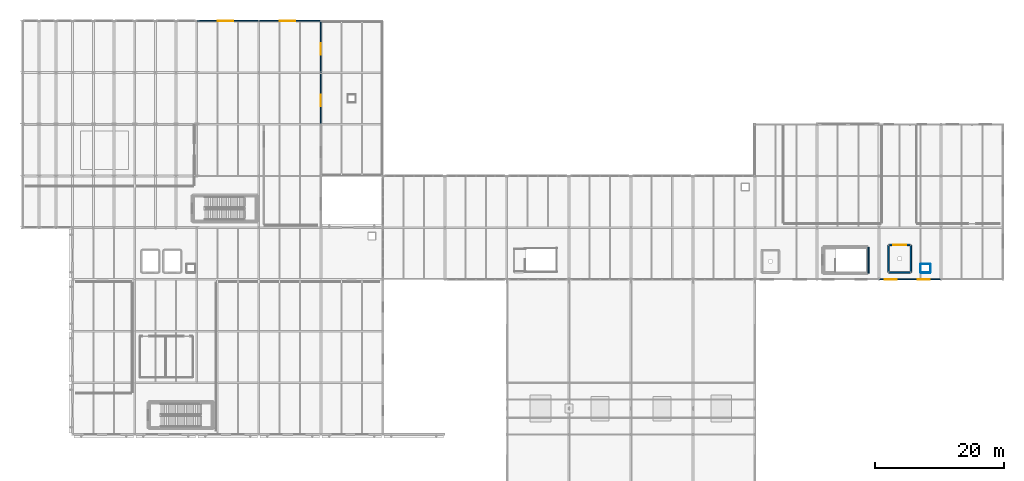
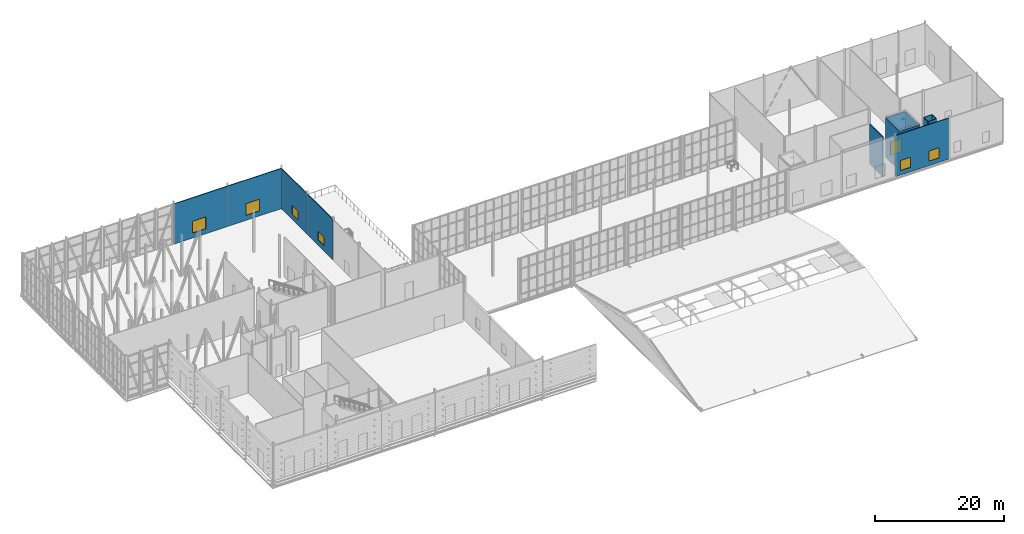
# One storey, part 67 of 73: 14 walls, 6 windows, 1 door, 7 openings.
"""IFC4 building model written with IfcOpenShell, lengths in metres."""

from ifc_helpers import new_model, si_unit, direction, frame, frame_2d, origin, place, context, subcontext, project, spatial, rectangle, extrude, material, layer, layer_set, type_object, element, fill, save


model = new_model("IFC4")

# Units and contexts
model_context = context("Model", 3, precision=1e-05, world=origin(), true_north=direction((0.0, 1.0)))
body_context = subcontext(model_context, "Body", "Model", "MODEL_VIEW")
ifc_project = project(units=[si_unit("LENGTHUNIT", "METRE"), si_unit("AREAUNIT", "SQUARE_METRE"), si_unit("VOLUMEUNIT", "CUBIC_METRE"), si_unit("PLANEANGLEUNIT", "RADIAN"), si_unit("MASSUNIT", "GRAM", prefix="KILO")], contexts=[model_context])

# Site, building, storey
site_placement = place(None, origin())
site = spatial("IfcSite", under=ifc_project, at=site_placement, CompositionType="ELEMENT")
building_placement = place(site_placement, origin())
building = spatial("IfcBuilding", under=site, at=building_placement, Name="Alderhovde Museum", CompositionType="ELEMENT")
storey_placement = place(building_placement, frame((0.0, 0.0, 17.39990234375)))
storey = spatial("IfcBuildingStorey", under=building, at=storey_placement, Name="L04", CompositionType="ELEMENT", Elevation=17.39990234375)

# Wall, opening, window
ifc_material_1 = material(Name="Limestone Ashlar Rainscreen Wall", Category="masonry")
ifc_layer_1 = layer(ifc_material_1, 0.14990234375)
ifc_layer_set_1 = layer_set([ifc_layer_1], Name="Limestone Ashlar Rainscreen Wall")
wall_type_1 = type_object("IfcWallType", Name="EW-LIME-340", PredefinedType="SOLIDWALL", material=ifc_layer_set_1)
wall_1_placement = place(storey_placement, frame((28.820068359375, 112.0, 0.0), z_axis=(0.0, 0.0, 1.0), x_axis=(1.0, 0.0, 0.0)))
wall_1 = element("IfcWall", 1, at=wall_1_placement, inside=storey, type_object=wall_type_1, Name="L04 Paleontology North Pier Wall 160", PredefinedType="SOLIDWALL", context=body_context, shape_type="SweptSolid", body=[
    extrude(rectangle(XDim=9.559814453125, YDim=0.14990234375, at=frame_2d((4.77978515625, 0.0))), origin(), (0.0, 0.0, 1.0), 7.60009765625),
])
opening_1_placement = place(wall_1_placement, frame((3.25, 0.0, 0.949951171875)))
opening_1 = element("IfcOpeningElement", 2, at=opening_1_placement, cuts=wall_1, Name="Opening W15", PredefinedType="OPENING", context=body_context, shape_type="SweptSolid", body=[
    extrude(rectangle(XDim=2.39990234375, YDim=2.199951171875, at=frame_2d((1.199951171875, 1.10009765625))), frame((0.0, 0.0849609375, 0.0), z_axis=(0.0, -1.0, 0.0), x_axis=(1.0, 0.0, 0.0)), (0.0, 0.0, 1.0), 0.169921875),
])
ifc_material_2 = material(Name="Triple-Glazed Low-E Bronze-Anodised Aluminium", Category="aluminium")
window_type_1 = type_object("IfcWindowType", Name="WIN-LAB-2400x2200", PartitioningType="DOUBLE_PANEL_VERTICAL", PredefinedType="WINDOW", material=ifc_material_2)
window_1_placement = place(opening_1_placement, origin())
window_1 = element("IfcWindow", 3, at=window_1_placement, inside=storey, type_object=window_type_1, Name="L04 Facade Window 140", OverallHeight=2.199951171875, OverallWidth=2.39990234375, PartitioningType="SINGLE_PANEL", PredefinedType="WINDOW", context=body_context, shape_type="SweptSolid", body=[
    extrude(rectangle(XDim=2.39990234375, YDim=2.199951171875, at=frame_2d((1.199951171875, 1.10009765625))), frame((0.0, 0.030029296875, 0.0), z_axis=(0.0, -1.0, 0.0), x_axis=(1.0, 0.0, 0.0)), (0.0, 0.0, 1.0), 0.06005859375),
])
fill(opening_1, window_1)

wall_2_placement = place(storey_placement, frame((38.419921875, 112.0, 0.0), z_axis=(0.0, 0.0, 1.0), x_axis=(1.0, 0.0, 0.0)))
wall_2 = element("IfcWall", 4, at=wall_2_placement, inside=storey, type_object=wall_type_1, Name="L04 Paleontology North Pier Wall 161", PredefinedType="SOLIDWALL", context=body_context, shape_type="SweptSolid", body=[
    extrude(rectangle(XDim=9.56005859375, YDim=0.14990234375, at=frame_2d((4.780029296875, 0.0))), origin(), (0.0, 0.0, 1.0), 7.60009765625),
])
opening_2_placement = place(wall_2_placement, frame((3.25, 0.0, 0.949951171875)))
opening_2 = element("IfcOpeningElement", 5, at=opening_2_placement, cuts=wall_2, Name="Opening W15", PredefinedType="OPENING", context=body_context, shape_type="SweptSolid", body=[
    extrude(rectangle(XDim=2.39990234375, YDim=2.199951171875, at=frame_2d((1.199951171875, 1.10009765625))), frame((0.0, 0.0849609375, 0.0), z_axis=(0.0, -1.0, 0.0), x_axis=(1.0, 0.0, 0.0)), (0.0, 0.0, 1.0), 0.169921875),
])
window_2_placement = place(opening_2_placement, origin())
window_2 = element("IfcWindow", 6, at=window_2_placement, inside=storey, type_object=window_type_1, Name="L04 Facade Window 141", OverallHeight=2.199951171875, OverallWidth=2.39990234375, PartitioningType="SINGLE_PANEL", PredefinedType="WINDOW", context=body_context, shape_type="SweptSolid", body=[
    extrude(rectangle(XDim=2.39990234375, YDim=2.199951171875, at=frame_2d((1.199951171875, 1.10009765625))), frame((0.0, 0.030029296875, 0.0), z_axis=(0.0, -1.0, 0.0), x_axis=(1.0, 0.0, 0.0)), (0.0, 0.0, 1.0), 0.06005859375),
])
fill(opening_2, window_2)

wall_3_placement = place(storey_placement, frame((48.0, 96.02001953125, 0.0), z_axis=(0.0, 0.0, 1.0), x_axis=(0.0, 1.0, 0.0)))
wall_3 = element("IfcWall", 7, at=wall_3_placement, inside=storey, type_object=wall_type_1, Name="L04 Paleontology East Step Wall 164", PredefinedType="SOLIDWALL", context=body_context, shape_type="SweptSolid", body=[
    extrude(rectangle(XDim=7.9599609375, YDim=0.14990234375, at=frame_2d((3.97998046875, 0.0))), origin(), (0.0, 0.0, 1.0), 7.60009765625),
])
opening_3_placement = place(wall_3_placement, frame((2.75, 0.0, 1.050048828125)))
opening_3 = element("IfcOpeningElement", 8, at=opening_3_placement, cuts=wall_3, Name="Opening W13", PredefinedType="OPENING", context=body_context, shape_type="SweptSolid", body=[
    extrude(rectangle(XDim=1.800048828125, YDim=1.60009765625, at=frame_2d((0.89990234375, 0.800048828125))), frame((0.0, 0.0849609375, 0.0), z_axis=(0.0, -1.0, 0.0), x_axis=(1.0, 0.0, 0.0)), (0.0, 0.0, 1.0), 0.169921875),
])
ifc_material_3 = material(Name="Triple-Glazed Low-E Bronze-Anodised Aluminium", Category="aluminium")
window_type_2 = type_object("IfcWindowType", Name="WIN-ATT-1800x1600", PartitioningType="DOUBLE_PANEL_VERTICAL", PredefinedType="WINDOW", material=ifc_material_3)
window_3_placement = place(opening_3_placement, origin())
window_3 = element("IfcWindow", 9, at=window_3_placement, inside=storey, type_object=window_type_2, Name="L04 Facade Window 143", OverallHeight=1.60009765625, OverallWidth=1.800048828125, PartitioningType="SINGLE_PANEL", PredefinedType="WINDOW", context=body_context, shape_type="SweptSolid", body=[
    extrude(rectangle(XDim=1.800048828125, YDim=1.60009765625, at=frame_2d((0.89990234375, 0.800048828125))), frame((0.0, 0.030029296875, 0.0), z_axis=(0.0, -1.0, 0.0), x_axis=(1.0, 0.0, 0.0)), (0.0, 0.0, 1.0), 0.06005859375),
])
fill(opening_3, window_3)

wall_4_placement = place(storey_placement, frame((48.0, 104.02001953125, 0.0), z_axis=(0.0, 0.0, 1.0), x_axis=(0.0, 1.0, 0.0)))
wall_4 = element("IfcWall", 10, at=wall_4_placement, inside=storey, type_object=wall_type_1, Name="L04 Paleontology East Step Wall 165", PredefinedType="SOLIDWALL", context=body_context, shape_type="SweptSolid", body=[
    extrude(rectangle(XDim=7.9599609375, YDim=0.14990234375, at=frame_2d((3.97998046875, 0.0))), origin(), (0.0, 0.0, 1.0), 7.60009765625),
])
opening_4_placement = place(wall_4_placement, frame((2.75, 0.0, 1.050048828125)))
opening_4 = element("IfcOpeningElement", 11, at=opening_4_placement, cuts=wall_4, Name="Opening W13", PredefinedType="OPENING", context=body_context, shape_type="SweptSolid", body=[
    extrude(rectangle(XDim=1.800048828125, YDim=1.60009765625, at=frame_2d((0.89990234375, 0.800048828125))), frame((0.0, 0.0849609375, 0.0), z_axis=(0.0, -1.0, 0.0), x_axis=(1.0, 0.0, 0.0)), (0.0, 0.0, 1.0), 0.169921875),
])
window_4_placement = place(opening_4_placement, origin())
window_4 = element("IfcWindow", 12, at=window_4_placement, inside=storey, type_object=window_type_2, Name="L04 Facade Window 144", OverallHeight=1.60009765625, OverallWidth=1.800048828125, PartitioningType="SINGLE_PANEL", PredefinedType="WINDOW", context=body_context, shape_type="SweptSolid", body=[
    extrude(rectangle(XDim=1.800048828125, YDim=1.60009765625, at=frame_2d((0.89990234375, 0.800048828125))), frame((0.0, 0.030029296875, 0.0), z_axis=(0.0, -1.0, 0.0), x_axis=(1.0, 0.0, 0.0)), (0.0, 0.0, 1.0), 0.06005859375),
])
fill(opening_4, window_4)

# Wall, openings, windows
wall_5_placement = place(storey_placement, frame((134.419921875, 72.0, 0.0), z_axis=(0.0, 0.0, 1.0), x_axis=(1.0, 0.0, 0.0)))
wall_5 = element("IfcWall", 13, at=wall_5_placement, inside=storey, type_object=wall_type_1, Name="L04 Conservation South Beaux-Arts Wall 250", PredefinedType="SOLIDWALL", context=body_context, shape_type="SweptSolid", body=[
    extrude(rectangle(XDim=9.56005859375, YDim=0.14990234375, at=frame_2d((4.780029296875, 0.0))), origin(), (0.0, 0.0, 1.0), 7.75),
])
opening_5_placement = place(wall_5_placement, frame((0.85009765625, 0.0, 0.85009765625)))
opening_5 = element("IfcOpeningElement", 14, at=opening_5_placement, cuts=wall_5, Name="Opening W27", PredefinedType="OPENING", context=body_context, shape_type="SweptSolid", body=[
    extrude(rectangle(XDim=1.85009765625, YDim=1.89990234375, at=frame_2d((0.925048828125, 0.949951171875))), frame((0.0, 0.0849609375, 0.0), z_axis=(0.0, -1.0, 0.0), x_axis=(1.0, 0.0, 0.0)), (0.0, 0.0, 1.0), 0.169921875),
])
opening_6_placement = place(wall_5_placement, frame((5.949951171875, 0.0, 0.85009765625)))
opening_6 = element("IfcOpeningElement", 15, at=opening_6_placement, cuts=wall_5, Name="Opening W27", PredefinedType="OPENING", context=body_context, shape_type="SweptSolid", body=[
    extrude(rectangle(XDim=1.85009765625, YDim=1.89990234375, at=frame_2d((0.925048828125, 0.949951171875))), frame((0.0, 0.0849609375, 0.0), z_axis=(0.0, -1.0, 0.0), x_axis=(1.0, 0.0, 0.0)), (0.0, 0.0, 1.0), 0.169921875),
])
ifc_material_4 = material(Name="Triple-Glazed Low-E Bronze-Anodised Aluminium", Category="aluminium")
window_type_3 = type_object("IfcWindowType", Name="WIN-LAB-1850x1900", PartitioningType="DOUBLE_PANEL_VERTICAL", PredefinedType="WINDOW", material=ifc_material_4)
window_5_placement = place(opening_5_placement, origin())
window_5 = element("IfcWindow", 16, at=window_5_placement, inside=storey, type_object=window_type_3, Name="L04 Facade Window 238", OverallHeight=1.89990234375, OverallWidth=1.85009765625, PartitioningType="SINGLE_PANEL", PredefinedType="WINDOW", context=body_context, shape_type="SweptSolid", body=[
    extrude(rectangle(XDim=1.85009765625, YDim=1.89990234375, at=frame_2d((0.925048828125, 0.949951171875))), frame((0.0, 0.030029296875, 0.0), z_axis=(0.0, -1.0, 0.0), x_axis=(1.0, 0.0, 0.0)), (0.0, 0.0, 1.0), 0.06005859375),
])
fill(opening_5, window_5)
window_6_placement = place(opening_6_placement, origin())
window_6 = element("IfcWindow", 17, at=window_6_placement, inside=storey, type_object=window_type_3, Name="L04 Facade Window 239", OverallHeight=1.89990234375, OverallWidth=1.85009765625, PartitioningType="SINGLE_PANEL", PredefinedType="WINDOW", context=body_context, shape_type="SweptSolid", body=[
    extrude(rectangle(XDim=1.85009765625, YDim=1.89990234375, at=frame_2d((0.925048828125, 0.949951171875))), frame((0.0, 0.030029296875, 0.0), z_axis=(0.0, -1.0, 0.0), x_axis=(1.0, 0.0, 0.0)), (0.0, 0.0, 1.0), 0.06005859375),
])
fill(opening_6, window_6)

# Walls
ifc_material_5 = material(Name="Acoustic Service Riser Lining Wall")
ifc_layer_2 = layer(ifc_material_5, 0.10009765625)
ifc_layer_set_2 = layer_set([ifc_layer_2], Name="Acoustic Service Riser Lining Wall")
wall_type_2 = type_object("IfcWallType", Name="IW-LIN-100", PredefinedType="PARTITIONING", material=ifc_layer_set_2)
for number, where, z_axis, x_axis, name in (
    (18, (140.8798828125, 74.3798828125, 0.0), (0.0, 0.0, 1.0), (1.0, 0.0, 0.0), "L04 Service Riser RSR-V5 Shaft Wall N"),
    (19, (140.8798828125, 73.02001953125, 0.0), (0.0, 0.0, 1.0), (1.0, 0.0, 0.0), "L04 Service Riser RSR-V5 Shaft Wall S"),
):
    element("IfcWall", number, at=place(storey_placement, frame(where, z_axis=z_axis, x_axis=x_axis)), inside=storey, type_object=wall_type_2, Name=name, PredefinedType="PARTITIONING", context=body_context, shape_type="SweptSolid", body=[
        extrude(rectangle(XDim=1.440185546875, YDim=0.10009765625, at=frame_2d((0.72021484375, 0.0))), origin(), (0.0, 0.0, 1.0), 7.5),
    ])
for number, where, z_axis, x_axis, name in (
    (20, (140.820068359375, 73.080078125, 0.0), (0.0, 0.0, 1.0), (0.0, 1.0, 0.0), "L04 Service Riser RSR-V5 Shaft Wall W"),
    (21, (142.3798828125, 73.080078125, 0.0), (0.0, 0.0, 1.0), (0.0, 1.0, 0.0), "L04 Service Riser RSR-V5 Shaft Wall E"),
):
    element("IfcWall", number, at=place(storey_placement, frame(where, z_axis=z_axis, x_axis=x_axis)), inside=storey, type_object=wall_type_2, Name=name, PredefinedType="PARTITIONING", context=body_context, shape_type="SweptSolid", body=[
        extrude(rectangle(XDim=1.239990234375, YDim=0.10009765625, at=frame_2d((0.6201171875, 0.0))), origin(), (0.0, 0.0, 1.0), 7.5),
    ])
ifc_material_6 = material(Name="Concrete C40/50 and Fireboard Shaft Wall", Category="concrete")
ifc_layer_3 = layer(ifc_material_6, 0.22998046875)
ifc_layer_set_3 = layer_set([ifc_layer_3], Name="Concrete C40/50 and Fireboard Shaft Wall")
wall_type_3 = type_object("IfcWallType", Name="IW-SHAFT-230", PredefinedType="SOLIDWALL", material=ifc_layer_set_3)
wall_6_placement = place(storey_placement, frame((135.93994140625, 73.06005859375, 0.0), z_axis=(0.0, 0.0, 1.0), x_axis=(1.0, 0.0, 0.0)))
element("IfcWall", 22, at=wall_6_placement, inside=storey, type_object=wall_type_3, Name="L04 Goods Lift Shaft Wall South", PredefinedType="SOLIDWALL", context=body_context, shape_type="SweptSolid", body=[
    extrude(rectangle(XDim=3.320068359375, YDim=0.22998046875, at=frame_2d((1.66015625, 0.0))), origin(), (0.0, 0.0, 1.0), 7.420166015625),
])

# Wall, opening, door
wall_7_placement = place(storey_placement, frame((135.93994140625, 77.340087890625, 0.0), z_axis=(0.0, 0.0, 1.0), x_axis=(1.0, 0.0, 0.0)))
wall_7 = element("IfcWall", 23, at=wall_7_placement, inside=storey, type_object=wall_type_3, Name="L04 Goods Lift Shaft Wall North", PredefinedType="SOLIDWALL", context=body_context, shape_type="SweptSolid", body=[
    extrude(rectangle(XDim=3.320068359375, YDim=0.22998046875, at=frame_2d((1.66015625, 0.0))), origin(), (0.0, 0.0, 1.0), 7.420166015625),
])
opening_7_placement = place(wall_7_placement, frame((0.659912109375, 0.0, 0.0)))
opening_7 = element("IfcOpeningElement", 24, at=opening_7_placement, cuts=wall_7, Name="Opening LD-2", PredefinedType="OPENING", context=body_context, shape_type="SweptSolid", body=[
    extrude(rectangle(XDim=2.0, YDim=2.5, at=frame_2d((1.0, 1.25))), frame((0.0, 0.125, 0.0), z_axis=(0.0, -1.0, 0.0), x_axis=(1.0, 0.0, 0.0)), (0.0, 0.0, 1.0), 0.25),
])
ifc_material_7 = material(Name="Goods Lift Sliding Landing Door (Steel/Oak)", Category="steel")
door_type = type_object("IfcDoorType", Name="LD-GOODS-2000x2500", OperationType="SLIDING_TO_RIGHT", PredefinedType="DOOR", material=ifc_material_7)
door_placement = place(opening_7_placement, origin())
door = element("IfcDoor", 25, at=door_placement, inside=storey, type_object=door_type, Name="L04 Goods Lift Landing Door", OperationType="SLIDING_TO_RIGHT", OverallHeight=2.5, OverallWidth=2.0, PredefinedType="DOOR", context=body_context, shape_type="SweptSolid", body=[
    extrude(rectangle(XDim=2.0, YDim=2.5, at=frame_2d((1.0, 1.25))), frame((0.0, 0.02490234375, 0.0), z_axis=(0.0, -1.0, 0.0), x_axis=(1.0, 0.0, 0.0)), (0.0, 0.0, 1.0), 0.050048828125),
])
fill(opening_7, door)

# Walls
for number, where, z_axis, x_axis, name in (
    (26, (135.860107421875, 73.139892578125, 0.0), (0.0, 0.0, 1.0), (0.0, 1.0, 0.0), "L04 Goods Lift Shaft Wall West"),
    (27, (139.340087890625, 73.139892578125, 0.0), (0.0, 0.0, 1.0), (0.0, 1.0, 0.0), "L04 Goods Lift Shaft Wall East"),
):
    element("IfcWall", number, at=place(storey_placement, frame(where, z_axis=z_axis, x_axis=x_axis)), inside=storey, type_object=wall_type_3, Name=name, PredefinedType="SOLIDWALL", context=body_context, shape_type="SweptSolid", body=[
        extrude(rectangle(XDim=4.1201171875, YDim=0.22998046875, at=frame_2d((2.06005859375, 0.0))), origin(), (0.0, 0.0, 1.0), 7.420166015625),
    ])
ifc_material_8 = material(Name="Fire-Resisting Stair Lobby Wall")
ifc_layer_4 = layer(ifc_material_8, 0.169921875)
ifc_layer_set_4 = layer_set([ifc_layer_4], Name="Fire-Resisting Stair Lobby Wall")
wall_type_4 = type_object("IfcWallType", Name="IW-STAIR-170", PredefinedType="SOLIDWALL", material=ifc_layer_set_4)
wall_8_placement = place(storey_placement, frame((132.780029296875, 72.9599609375, 0.0), z_axis=(0.0, 0.0, 1.0), x_axis=(0.0, 1.0, 0.0)))
element("IfcWall", 28, at=wall_8_placement, inside=storey, type_object=wall_type_4, Name="L04 Escape Stair ST4 Fire Wall E", PredefinedType="SOLIDWALL", context=body_context, shape_type="SweptSolid", body=[
    extrude(rectangle(XDim=4.0400390625, YDim=0.169921875, at=frame_2d((2.02001953125, 0.0))), origin(), (0.0, 0.0, 1.0), 7.5),
])

save(model, "model.ifc")
